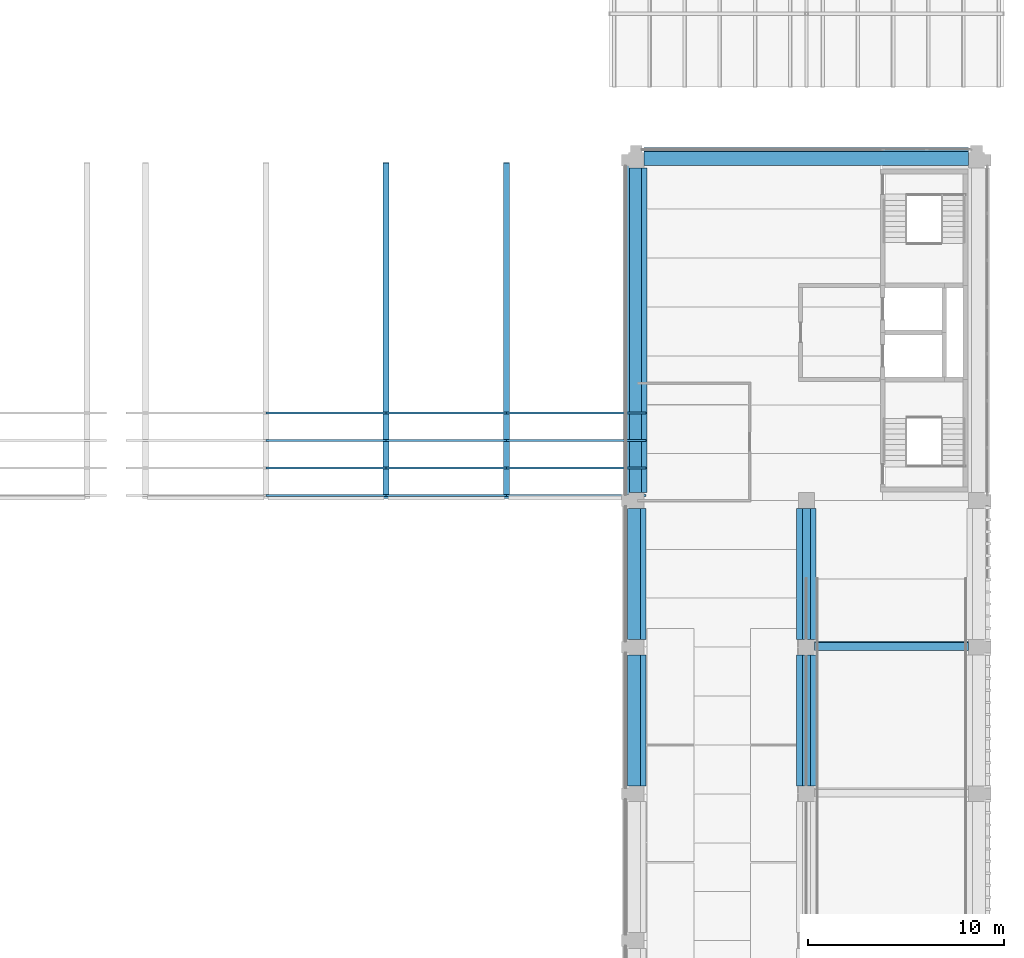
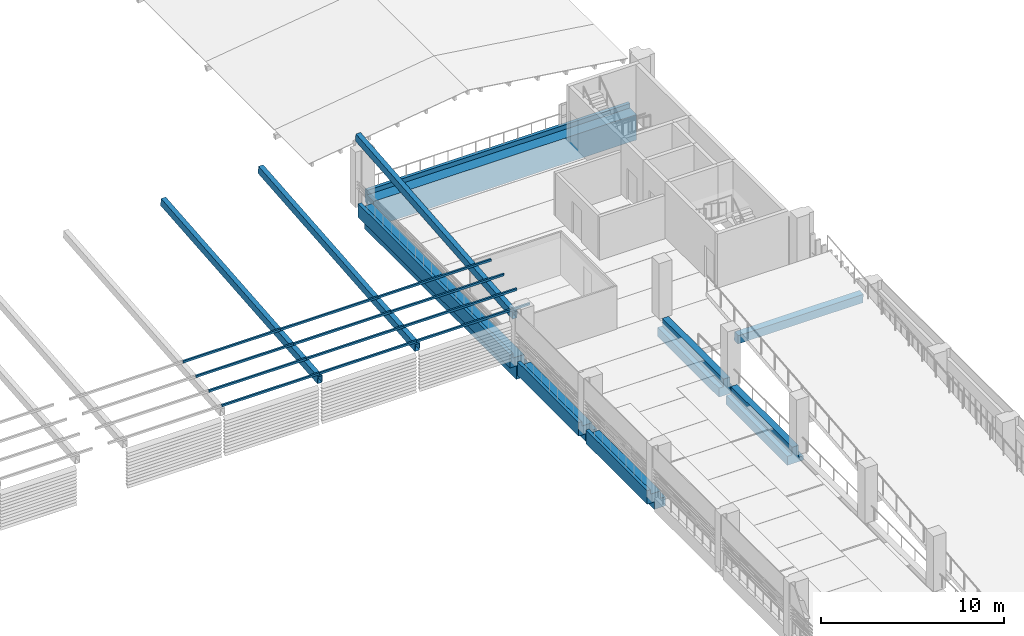
# One storey, part 14 of 52: 15 members, 7 beams.
"""IFC4 building model written with IfcOpenShell, lengths in metres."""

from ifc_helpers import new_model, si_unit, direction, frame, origin, origin_2d, place, context, subcontext, project, spatial, polyline, rectangle, hollow_rectangle, outline, extrude, material, material_profile, profile_set, type_object, element, save


model = new_model("IFC4")

# Units and contexts
model_context = context("Model", 3, precision=1e-05, world=origin(), true_north=direction((0.0, 1.0)))
body_context = subcontext(model_context, "Body", "Model", "MODEL_VIEW")
ifc_project = project(units=[si_unit("LENGTHUNIT", "METRE"), si_unit("AREAUNIT", "SQUARE_METRE"), si_unit("VOLUMEUNIT", "CUBIC_METRE"), si_unit("PLANEANGLEUNIT", "RADIAN"), si_unit("MASSUNIT", "GRAM", prefix="KILO")], contexts=[model_context])

# Site, building, storey
site_placement = place(None, origin())
site = spatial("IfcSite", under=ifc_project, at=site_placement, CompositionType="ELEMENT")
building_placement = place(site_placement, origin())
building = spatial("IfcBuilding", under=site, at=building_placement, Name="Cour d'Honneur Mobility Palace", CompositionType="ELEMENT")
storey_placement = place(building_placement, frame((0.0, 0.0, 23.0)))
storey = spatial("IfcBuildingStorey", under=building, at=storey_placement, Name="L06", CompositionType="ELEMENT", Elevation=23.0)

# Beams
ifc_material_1 = material(Name="Concrete C45", Category="concrete")
ifc_material_profile_1 = material_profile(ifc_material_1, outline(polyline([(0.27490234375, -1.699951171875), (0.27490234375, -0.60009765625), (0.64990234375, -0.60009765625), (0.64990234375, 0.300048828125), (0.449951171875, 0.300048828125), (0.449951171875, 0.0), (0.27490234375, 0.0), (-0.27490234375, 0.0), (-0.27490234375, -1.699951171875), (0.27490234375, -1.699951171875)])), Name="Edge Spandrel Beam 550x1700 no ledge facade left")
ifc_profile_set_1 = profile_set([ifc_material_profile_1], Name="Concrete C45")
beam_type_1 = type_object("IfcBeamType", Name="Edge Spandrel Beam 550x1700 no ledge facade left", PredefinedType="SPANDREL", material=ifc_profile_set_1)
beam_1_placement = place(storey_placement, frame((145.300048828125, 62.39990234375, 0.0), z_axis=(1.0, 0.0, 0.0), x_axis=(0.0, 1.0, 0.0)))
element("IfcBeam", 1, at=beam_1_placement, inside=storey, type_object=beam_type_1, Name="Precast beam B7 19-20 L06", PredefinedType="SPANDREL", context=body_context, shape_type="SweptSolid", body=[
    extrude(outline(polyline([(0.27490234375, -1.699951171875), (0.27490234375, -0.60009765625), (0.64990234375, -0.60009765625), (0.64990234375, 0.300048828125), (0.449951171875, 0.300048828125), (0.449951171875, 0.0), (0.27490234375, 0.0), (-0.27490234375, 0.0), (-0.27490234375, -1.699951171875), (0.27490234375, -1.699951171875)])), origin(), (0.0, 0.0, 1.0), 16.599853515625),
])
ifc_material_2 = material(Name="Concrete C45", Category="concrete")
ifc_material_profile_2 = material_profile(ifc_material_2, outline(polyline([(0.5, -1.10009765625), (0.5, -0.5), (0.199951171875, -0.5), (0.199951171875, 0.0), (-0.199951171875, 0.0), (-0.199951171875, -0.800048828125), (-0.5, -0.800048828125), (-0.5, -1.10009765625), (0.5, -1.10009765625)])), Name="Inverted Tee Beam 400x1100 ledges 600/300 plain")
ifc_profile_set_2 = profile_set([ifc_material_profile_2], Name="Concrete C45")
beam_type_2 = type_object("IfcBeamType", Name="Inverted Tee Beam 400x1100 ledges 600/300 plain", PredefinedType="T_BEAM", material=ifc_profile_set_2)
for number, where, z_axis, x_axis, name in (
    (2, (153.60009765625, 30.39990234375, 0.0), (0.0, 1.0, 0.0), (-1.0, 0.0, 0.0), "Precast beam B19 E-F L06"),
    (3, (153.60009765625, 37.89990234375, 0.0), (0.0, 1.0, 0.0), (-1.0, 0.0, 0.0), "Precast beam B19 F-G L06"),
):
    element("IfcBeam", number, at=place(storey_placement, frame(where, z_axis=z_axis, x_axis=x_axis)), inside=storey, type_object=beam_type_2, Name=name, PredefinedType="T_BEAM", context=body_context, shape_type="SweptSolid", body=[
        extrude(outline(polyline([(0.5, -1.10009765625), (0.5, -0.5), (0.199951171875, -0.5), (0.199951171875, 0.0), (-0.199951171875, 0.0), (-0.199951171875, -0.800048828125), (-0.5, -0.800048828125), (-0.5, -1.10009765625), (0.5, -1.10009765625)])), origin(), (0.0, 0.0, 1.0), 6.7001953125),
    ])
ifc_material_3 = material(Name="Concrete C45", Category="concrete")
ifc_material_profile_3 = material_profile(ifc_material_3, outline(polyline([(0.199951171875, -1.10009765625), (0.199951171875, -0.60009765625), (0.64990234375, -0.60009765625), (0.64990234375, 0.300048828125), (0.449951171875, 0.300048828125), (0.449951171875, 0.0), (0.199951171875, 0.0), (-0.199951171875, 0.0), (-0.199951171875, -0.5), (-0.5, -0.5), (-0.5, -1.10009765625), (0.199951171875, -1.10009765625)])), Name="Ledger Beam 400x1100 ledge right 600 facade left")
ifc_profile_set_3 = profile_set([ifc_material_profile_3], Name="Concrete C45")
beam_type_3 = type_object("IfcBeamType", Name="Ledger Beam 400x1100 ledge right 600 facade left", PredefinedType="BEAM", material=ifc_profile_set_3)
for number, where, z_axis, x_axis, name in (
    (4, (144.89990234375, 30.39990234375, 0.0), (0.0, 1.0, 0.0), (-1.0, 0.0, 0.0), "Precast beam B15 E-F L06"),
    (5, (144.89990234375, 37.89990234375, 0.0), (0.0, 1.0, 0.0), (-1.0, 0.0, 0.0), "Precast beam B15 F-G L06"),
):
    element("IfcBeam", number, at=place(storey_placement, frame(where, z_axis=z_axis, x_axis=x_axis)), inside=storey, type_object=beam_type_3, Name=name, PredefinedType="BEAM", context=body_context, shape_type="SweptSolid", body=[
        extrude(outline(polyline([(0.199951171875, -1.10009765625), (0.199951171875, -0.60009765625), (0.64990234375, -0.60009765625), (0.64990234375, 0.300048828125), (0.449951171875, 0.300048828125), (0.449951171875, 0.0), (0.199951171875, 0.0), (-0.199951171875, 0.0), (-0.199951171875, -0.5), (-0.5, -0.5), (-0.5, -1.10009765625), (0.199951171875, -1.10009765625)])), origin(), (0.0, 0.0, 1.0), 6.7001953125),
    ])
ifc_material_4 = material(Name="Concrete C45", Category="concrete")
ifc_material_profile_4 = material_profile(ifc_material_4, outline(polyline([(0.25, -1.5), (0.25, -0.60009765625), (0.64990234375, -0.60009765625), (0.64990234375, 0.300048828125), (0.449951171875, 0.300048828125), (0.449951171875, 0.0), (0.25, 0.0), (-0.25, 0.0), (-0.25, -0.64990234375), (-0.550048828125, -0.64990234375), (-0.550048828125, -1.5), (0.25, -1.5)])), Name="Ledger Beam 500x1500 ledge right 850 facade left")
ifc_profile_set_4 = profile_set([ifc_material_profile_4], Name="Concrete C45")
beam_type_4 = type_object("IfcBeamType", Name="Ledger Beam 500x1500 ledge right 850 facade left", PredefinedType="BEAM", material=ifc_profile_set_4)
beam_2_placement = place(storey_placement, frame((144.89990234375, 45.39990234375, 0.0), z_axis=(0.0, 1.0, 0.0), x_axis=(-1.0, 0.0, 0.0)))
element("IfcBeam", 6, at=beam_2_placement, inside=storey, type_object=beam_type_4, Name="Precast beam B24 G-H L06", PredefinedType="BEAM", context=body_context, shape_type="SweptSolid", body=[
    extrude(outline(polyline([(0.25, -1.5), (0.25, -0.60009765625), (0.64990234375, -0.60009765625), (0.64990234375, 0.300048828125), (0.449951171875, 0.300048828125), (0.449951171875, 0.0), (0.25, 0.0), (-0.25, 0.0), (-0.25, -0.64990234375), (-0.550048828125, -0.64990234375), (-0.550048828125, -1.5), (0.25, -1.5)])), origin(), (0.0, 0.0, 1.0), 16.60009765625),
])

# Members
ifc_material_5 = material(Name="Steel S355", Category="steel")
ifc_material_profile_5 = material_profile(ifc_material_5, hollow_rectangle(XDim=0.10009765625, YDim=0.14990234375, WallThickness=0.00634765625, at=origin_2d()), Name="RHS 150x100x6.3")
ifc_profile_set_5 = profile_set([ifc_material_profile_5], Name="Steel S355")
member_type_1 = type_object("IfcMemberType", Name="Pergola purlin RHS 150x100x6.3", PredefinedType="PURLIN", material=ifc_profile_set_5)
member_1_placement = place(storey_placement, frame((125.949951171875, 45.2548828125, 3.388671875), z_axis=(1.0, 0.0, 0.0), x_axis=(0.0, 0.996196869991, 0.08713091426)))
element("IfcMember", 7, at=member_1_placement, inside=storey, type_object=member_type_1, Name="Pergola purlin FE-1.2", PredefinedType="PURLIN", context=body_context, shape_type="SweptSolid", body=[
    extrude(hollow_rectangle(XDim=0.10009765625, YDim=0.14990234375, WallThickness=0.00634765625, at=origin_2d()), origin(), (0.0, 0.0, 1.0), 6.150146484375),
])
member_2_placement = place(storey_placement, frame((132.10009765625, 45.2548828125, 3.388671875), z_axis=(1.0, 0.0, 0.0), x_axis=(0.0, 0.996196869991, 0.08713091426)))
element("IfcMember", 8, at=member_2_placement, inside=storey, type_object=member_type_1, Name="Pergola purlin FE-1.3", PredefinedType="PURLIN", context=body_context, shape_type="SweptSolid", body=[
    extrude(hollow_rectangle(XDim=0.10009765625, YDim=0.14990234375, WallThickness=0.00634765625, at=origin_2d()), origin(), (0.0, 0.0, 1.0), 6.14990234375),
])
member_3_placement = place(storey_placement, frame((138.25, 45.2548828125, 3.388671875), z_axis=(1.0, 0.0, 0.0), x_axis=(0.0, 0.996196869991, 0.08713091426)))
element("IfcMember", 9, at=member_3_placement, inside=storey, type_object=member_type_1, Name="Pergola purlin FE-1.4", PredefinedType="PURLIN", context=body_context, shape_type="SweptSolid", body=[
    extrude(hollow_rectangle(XDim=0.10009765625, YDim=0.14990234375, WallThickness=0.00634765625, at=origin_2d()), origin(), (0.0, 0.0, 1.0), 7.14990234375),
])
member_4_placement = place(storey_placement, frame((125.949951171875, 46.66259765625, 3.51171875), z_axis=(1.0, 0.0, 0.0), x_axis=(0.0, 0.996196869991, 0.08713091426)))
element("IfcMember", 10, at=member_4_placement, inside=storey, type_object=member_type_1, Name="Pergola purlin FE-2.2", PredefinedType="PURLIN", context=body_context, shape_type="SweptSolid", body=[
    extrude(hollow_rectangle(XDim=0.10009765625, YDim=0.14990234375, WallThickness=0.00634765625, at=origin_2d()), origin(), (0.0, 0.0, 1.0), 6.150146484375),
])
member_5_placement = place(storey_placement, frame((132.10009765625, 46.66259765625, 3.51171875), z_axis=(1.0, 0.0, 0.0), x_axis=(0.0, 0.996196869991, 0.08713091426)))
element("IfcMember", 11, at=member_5_placement, inside=storey, type_object=member_type_1, Name="Pergola purlin FE-2.3", PredefinedType="PURLIN", context=body_context, shape_type="SweptSolid", body=[
    extrude(hollow_rectangle(XDim=0.10009765625, YDim=0.14990234375, WallThickness=0.00634765625, at=origin_2d()), origin(), (0.0, 0.0, 1.0), 6.14990234375),
])
member_6_placement = place(storey_placement, frame((138.25, 46.66259765625, 3.51171875), z_axis=(1.0, 0.0, 0.0), x_axis=(0.0, 0.996196869991, 0.08713091426)))
element("IfcMember", 12, at=member_6_placement, inside=storey, type_object=member_type_1, Name="Pergola purlin FE-2.4", PredefinedType="PURLIN", context=body_context, shape_type="SweptSolid", body=[
    extrude(hollow_rectangle(XDim=0.10009765625, YDim=0.14990234375, WallThickness=0.00634765625, at=origin_2d()), origin(), (0.0, 0.0, 1.0), 7.14990234375),
])
member_7_placement = place(storey_placement, frame((125.949951171875, 48.070068359375, 3.634765625), z_axis=(1.0, 0.0, 0.0), x_axis=(0.0, 0.996196869991, 0.08713091426)))
element("IfcMember", 13, at=member_7_placement, inside=storey, type_object=member_type_1, Name="Pergola purlin FE-3.2", PredefinedType="PURLIN", context=body_context, shape_type="SweptSolid", body=[
    extrude(hollow_rectangle(XDim=0.10009765625, YDim=0.14990234375, WallThickness=0.00634765625, at=origin_2d()), origin(), (0.0, 0.0, 1.0), 6.150146484375),
])
member_8_placement = place(storey_placement, frame((132.10009765625, 48.070068359375, 3.634765625), z_axis=(1.0, 0.0, 0.0), x_axis=(0.0, 0.996196869991, 0.08713091426)))
element("IfcMember", 14, at=member_8_placement, inside=storey, type_object=member_type_1, Name="Pergola purlin FE-3.3", PredefinedType="PURLIN", context=body_context, shape_type="SweptSolid", body=[
    extrude(hollow_rectangle(XDim=0.10009765625, YDim=0.14990234375, WallThickness=0.00634765625, at=origin_2d()), origin(), (0.0, 0.0, 1.0), 6.14990234375),
])
member_9_placement = place(storey_placement, frame((138.25, 48.070068359375, 3.634765625), z_axis=(1.0, 0.0, 0.0), x_axis=(0.0, 0.996196869991, 0.08713091426)))
element("IfcMember", 15, at=member_9_placement, inside=storey, type_object=member_type_1, Name="Pergola purlin FE-3.4", PredefinedType="PURLIN", context=body_context, shape_type="SweptSolid", body=[
    extrude(hollow_rectangle(XDim=0.10009765625, YDim=0.14990234375, WallThickness=0.00634765625, at=origin_2d()), origin(), (0.0, 0.0, 1.0), 7.14990234375),
])
member_10_placement = place(storey_placement, frame((125.949951171875, 49.4775390625, 3.7578125), z_axis=(1.0, 0.0, 0.0), x_axis=(0.0, 0.996196869991, 0.08713091426)))
element("IfcMember", 16, at=member_10_placement, inside=storey, type_object=member_type_1, Name="Pergola purlin FE-4.2", PredefinedType="PURLIN", context=body_context, shape_type="SweptSolid", body=[
    extrude(hollow_rectangle(XDim=0.10009765625, YDim=0.14990234375, WallThickness=0.00634765625, at=origin_2d()), origin(), (0.0, 0.0, 1.0), 6.150146484375),
])
member_11_placement = place(storey_placement, frame((132.10009765625, 49.4775390625, 3.7578125), z_axis=(1.0, 0.0, 0.0), x_axis=(0.0, 0.996196869991, 0.08713091426)))
element("IfcMember", 17, at=member_11_placement, inside=storey, type_object=member_type_1, Name="Pergola purlin FE-4.3", PredefinedType="PURLIN", context=body_context, shape_type="SweptSolid", body=[
    extrude(hollow_rectangle(XDim=0.10009765625, YDim=0.14990234375, WallThickness=0.00634765625, at=origin_2d()), origin(), (0.0, 0.0, 1.0), 6.14990234375),
])
member_12_placement = place(storey_placement, frame((138.25, 49.4775390625, 3.7578125), z_axis=(1.0, 0.0, 0.0), x_axis=(0.0, 0.996196869991, 0.08713091426)))
element("IfcMember", 18, at=member_12_placement, inside=storey, type_object=member_type_1, Name="Pergola purlin FE-4.4", PredefinedType="PURLIN", context=body_context, shape_type="SweptSolid", body=[
    extrude(hollow_rectangle(XDim=0.10009765625, YDim=0.14990234375, WallThickness=0.00634765625, at=origin_2d()), origin(), (0.0, 0.0, 1.0), 7.14990234375),
])
ifc_material_6 = material(Name="Steel S355", Category="steel")
ifc_material_profile_6 = material_profile(ifc_material_6, hollow_rectangle(XDim=0.300048828125, YDim=0.5, WallThickness=0.01611328125, at=origin_2d()), Name="RHS 500x300x16")
ifc_profile_set_6 = profile_set([ifc_material_profile_6], Name="Steel S355")
member_type_2 = type_object("IfcMemberType", Name="Pergola rafter RHS 500x300x16", PredefinedType="RAFTER", material=ifc_profile_set_6)
for number, where, z_axis, x_axis, name in (
    (19, (132.10009765625, 45.125, 3.051025390625), (0.0, 0.996196826291, 0.087131413899), (-1.0, 0.0, 0.0), "Pergola rafter FE-3"),
    (20, (138.25, 45.125, 3.051025390625), (0.0, 0.996196826291, 0.087131413899), (-1.0, 0.0, 0.0), "Pergola rafter FE-4"),
    (21, (144.39990234375, 45.125, 3.051025390625), (0.0, 0.996196826291, 0.087131413899), (-1.0, 0.0, 0.0), "Pergola rafter FE-5"),
):
    element("IfcMember", number, at=place(storey_placement, frame(where, z_axis=z_axis, x_axis=x_axis)), inside=storey, type_object=member_type_2, Name=name, PredefinedType="RAFTER", context=body_context, shape_type="SweptSolid", body=[
        extrude(hollow_rectangle(XDim=0.300048828125, YDim=0.5, WallThickness=0.01611328125, at=origin_2d()), origin(), (0.0, 0.0, 1.0), 17.21533203125),
    ])

# Beam
ifc_material_7 = material(Name="Concrete C40", Category="concrete")
ifc_material_profile_7 = material_profile(ifc_material_7, rectangle(XDim=0.39990234375, YDim=0.60009765625, at=origin_2d()), Name="Ramp cross beam 400x600")
ifc_profile_set_7 = profile_set([ifc_material_profile_7], Name="Concrete C40")
beam_type_5 = type_object("IfcBeamType", Name="Ramp cross beam 400x600", PredefinedType="BEAM", material=ifc_profile_set_7)
beam_3_placement = place(storey_placement, frame((161.89990234375, 37.559814453125, 2.7529296875), z_axis=(-1.0, 0.0, 0.0), x_axis=(0.0, -0.995037190449, -0.099503716633)))
element("IfcBeam", 22, at=beam_3_placement, inside=storey, type_object=beam_type_5, Name="Ramp cross beam SE.R6-5", PredefinedType="BEAM", context=body_context, shape_type="SweptSolid", body=[
    extrude(rectangle(XDim=0.39990234375, YDim=0.60009765625, at=origin_2d()), origin(), (0.0, 0.0, 1.0), 7.89990234375),
])

save(model, "model.ifc")
